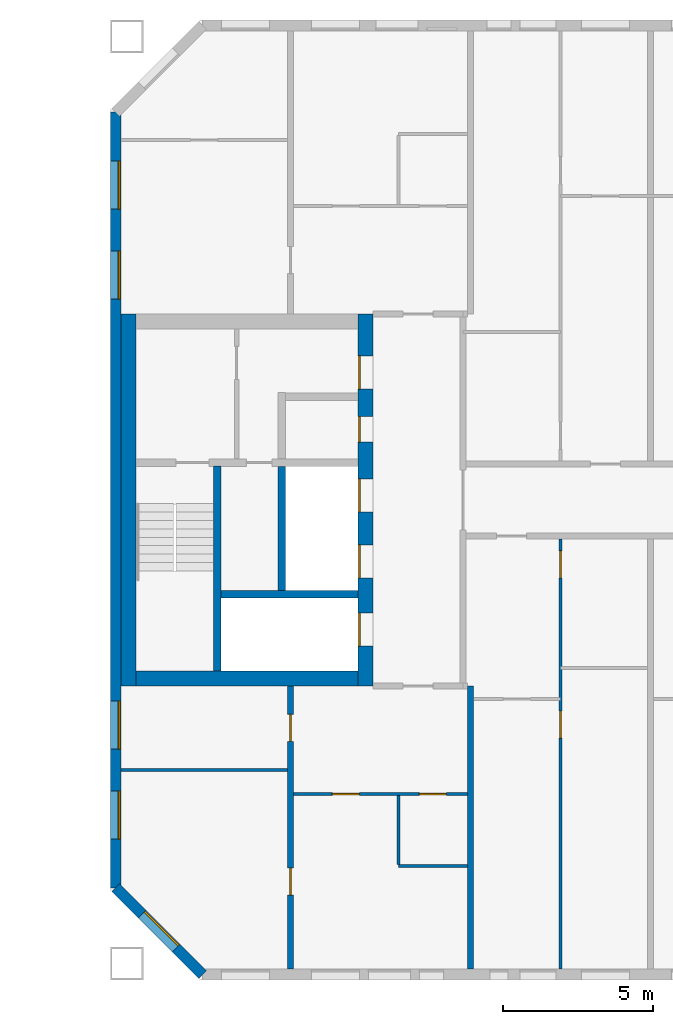
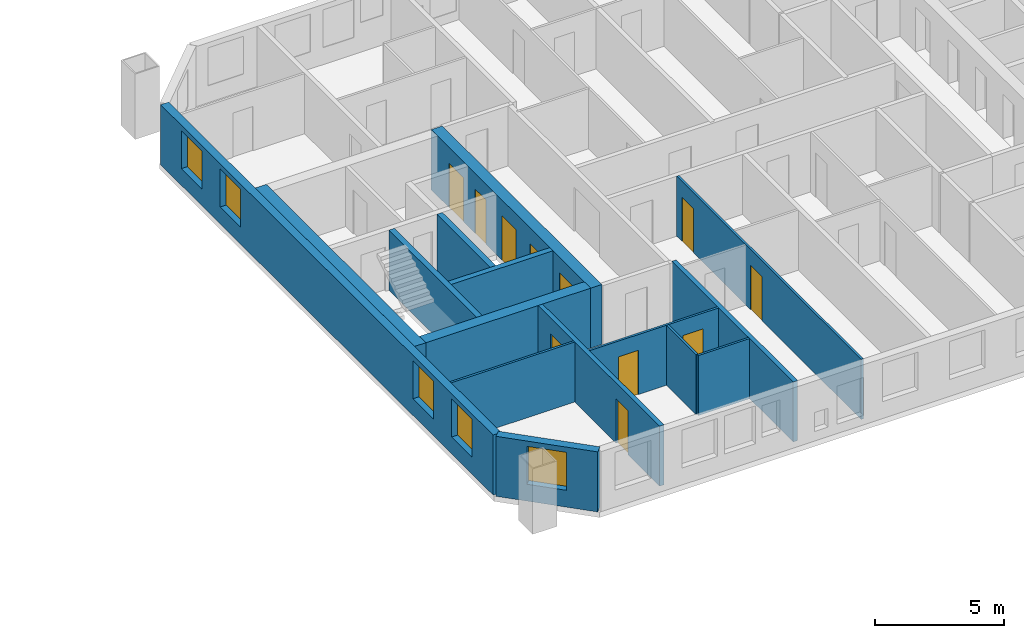
# One storey, part 9 of 16: 15 walls, 11 doors, 5 windows, 16 openings.
"""IFC4 building model written with IfcOpenShell, lengths in metres."""

from ifc_helpers import new_model, si_unit, direction, frame, frame_2d, origin, place, context, subcontext, project, spatial, rectangle, extrude, material, layer, layer_set, type_object, element, fill, save


model = new_model("IFC4")

# Units and contexts
model_context = context("Model", 3, precision=1e-05, world=origin(), true_north=direction((0.0, 1.0)))
body_context = subcontext(model_context, "Body", "Model", "MODEL_VIEW")
ifc_project = project(units=[si_unit("LENGTHUNIT", "METRE"), si_unit("AREAUNIT", "SQUARE_METRE"), si_unit("VOLUMEUNIT", "CUBIC_METRE"), si_unit("PLANEANGLEUNIT", "RADIAN"), si_unit("MASSUNIT", "GRAM", prefix="KILO")], contexts=[model_context])

# Site, building, storey
site_placement = place(None, origin())
site = spatial("IfcSite", under=ifc_project, at=site_placement, CompositionType="ELEMENT")
building_placement = place(site_placement, origin())
building = spatial("IfcBuilding", under=site, at=building_placement, Name="Tuart Gate Housing", CompositionType="ELEMENT")
storey_placement = place(building_placement, frame((0.0, 0.0, 157.800048828125)))
storey = spatial("IfcBuildingStorey", under=building, at=storey_placement, Name="L44", CompositionType="ELEMENT", Elevation=157.800048828125)

# Wall, opening, window
ifc_material_1 = material(Name="Brick", Category="masonry")
ifc_layer_1 = layer(ifc_material_1, 0.360107421875)
ifc_layer_set_1 = layer_set([ifc_layer_1], Name="Brick pier and spandrel wall 360")
wall_type_1 = type_object("IfcWallType", Name="Brick pier and spandrel wall 360", PredefinedType="STANDARD", material=ifc_layer_set_1)
wall_1_placement = place(storey_placement, frame((131.179931640625, 57.07470703125, 0.0), z_axis=(0.0, 0.0, 1.0), x_axis=(0.707106781187, -0.707106781187, 0.0)))
wall_1 = element("IfcWall", 1, at=wall_1_placement, inside=storey, type_object=wall_type_1, Name="External wall B-SW L44", PredefinedType="STANDARD", context=body_context, shape_type="SweptSolid", body=[
    extrude(rectangle(XDim=4.09375, YDim=0.360107421875, at=frame_2d((2.046875, 0.0))), origin(), (0.0, 0.0, 1.0), 2.849853515625),
])
opening_1_placement = place(wall_1_placement, frame((1.2470703125, 0.0, 0.800048828125)))
opening_1 = element("IfcOpeningElement", 2, at=opening_1_placement, cuts=wall_1, Name="Opening W1", PredefinedType="OPENING", context=body_context, shape_type="SweptSolid", body=[
    extrude(rectangle(XDim=1.60009765625, YDim=1.800048828125, at=frame_2d((0.800048828125, 0.89990234375))), frame((0.0, 0.18994140625, 0.0), z_axis=(0.0, -1.0, 0.0), x_axis=(1.0, 0.0, 0.0)), (0.0, 0.0, 1.0), 0.380126953125),
])
ifc_material_2 = material(Name="Aluminium frame with clear glass", Category="aluminium")
window_type = type_object("IfcWindowType", Name="Punched window 1600 x 1800", PartitioningType="SINGLE_PANEL", PredefinedType="WINDOW", material=ifc_material_2)
window_1_placement = place(opening_1_placement, origin())
window_1 = element("IfcWindow", 3, at=window_1_placement, inside=storey, type_object=window_type, Name="Window W1", OverallHeight=1.800048828125, OverallWidth=1.60009765625, PartitioningType="SINGLE_PANEL", PredefinedType="WINDOW", context=body_context, shape_type="SweptSolid", body=[
    extrude(rectangle(XDim=1.60009765625, YDim=1.800048828125, at=frame_2d((0.800048828125, 0.89990234375))), frame((0.0, 0.150146484375, 0.0), z_axis=(0.0, -1.0, 0.0), x_axis=(1.0, 0.0, 0.0)), (0.0, 0.0, 1.0), 0.06005859375),
])
fill(opening_1, window_1)

# Wall, openings, windows
wall_2_placement = place(storey_placement, frame((131.179931640625, 82.92529296875, 0.0), z_axis=(0.0, 0.0, 1.0), x_axis=(0.0, -1.0, 0.0)))
wall_2 = element("IfcWall", 4, at=wall_2_placement, inside=storey, type_object=wall_type_1, Name="External wall B-W L44", PredefinedType="STANDARD", context=body_context, shape_type="SweptSolid", body=[
    extrude(rectangle(XDim=25.850830078125, YDim=0.360107421875, at=frame_2d((12.92529296875, 0.0))), origin(), (0.0, 0.0, 1.0), 2.849853515625),
])
opening_2_placement = place(wall_2_placement, frame((1.62548828125, 0.0, 0.800048828125)))
opening_2 = element("IfcOpeningElement", 5, at=opening_2_placement, cuts=wall_2, Name="Opening W1", PredefinedType="OPENING", context=body_context, shape_type="SweptSolid", body=[
    extrude(rectangle(XDim=1.60009765625, YDim=1.800048828125, at=frame_2d((0.800048828125, 0.89990234375))), frame((0.0, 0.18994140625, 0.0), z_axis=(0.0, -1.0, 0.0), x_axis=(1.0, 0.0, 0.0)), (0.0, 0.0, 1.0), 0.380126953125),
])
opening_3_placement = place(wall_2_placement, frame((4.62548828125, 0.0, 0.800048828125)))
opening_3 = element("IfcOpeningElement", 6, at=opening_3_placement, cuts=wall_2, Name="Opening W1", PredefinedType="OPENING", context=body_context, shape_type="SweptSolid", body=[
    extrude(rectangle(XDim=1.60009765625, YDim=1.800048828125, at=frame_2d((0.800048828125, 0.89990234375))), frame((0.0, 0.18994140625, 0.0), z_axis=(0.0, -1.0, 0.0), x_axis=(1.0, 0.0, 0.0)), (0.0, 0.0, 1.0), 0.380126953125),
])
opening_4_placement = place(wall_2_placement, frame((19.62548828125, 0.0, 0.800048828125)))
opening_4 = element("IfcOpeningElement", 7, at=opening_4_placement, cuts=wall_2, Name="Opening W1", PredefinedType="OPENING", context=body_context, shape_type="SweptSolid", body=[
    extrude(rectangle(XDim=1.60009765625, YDim=1.800048828125, at=frame_2d((0.800048828125, 0.89990234375))), frame((0.0, 0.18994140625, 0.0), z_axis=(0.0, -1.0, 0.0), x_axis=(1.0, 0.0, 0.0)), (0.0, 0.0, 1.0), 0.380126953125),
])
opening_5_placement = place(wall_2_placement, frame((22.62548828125, 0.0, 0.800048828125)))
opening_5 = element("IfcOpeningElement", 8, at=opening_5_placement, cuts=wall_2, Name="Opening W1", PredefinedType="OPENING", context=body_context, shape_type="SweptSolid", body=[
    extrude(rectangle(XDim=1.60009765625, YDim=1.800048828125, at=frame_2d((0.800048828125, 0.89990234375))), frame((0.0, 0.18994140625, 0.0), z_axis=(0.0, -1.0, 0.0), x_axis=(1.0, 0.0, 0.0)), (0.0, 0.0, 1.0), 0.380126953125),
])
window_2_placement = place(opening_2_placement, origin())
window_2 = element("IfcWindow", 9, at=window_2_placement, inside=storey, type_object=window_type, Name="Window W1", OverallHeight=1.800048828125, OverallWidth=1.60009765625, PartitioningType="SINGLE_PANEL", PredefinedType="WINDOW", context=body_context, shape_type="SweptSolid", body=[
    extrude(rectangle(XDim=1.60009765625, YDim=1.800048828125, at=frame_2d((0.800048828125, 0.89990234375))), frame((0.0, 0.150146484375, 0.0), z_axis=(0.0, -1.0, 0.0), x_axis=(1.0, 0.0, 0.0)), (0.0, 0.0, 1.0), 0.06005859375),
])
fill(opening_2, window_2)
window_3_placement = place(opening_3_placement, origin())
window_3 = element("IfcWindow", 10, at=window_3_placement, inside=storey, type_object=window_type, Name="Window W1", OverallHeight=1.800048828125, OverallWidth=1.60009765625, PartitioningType="SINGLE_PANEL", PredefinedType="WINDOW", context=body_context, shape_type="SweptSolid", body=[
    extrude(rectangle(XDim=1.60009765625, YDim=1.800048828125, at=frame_2d((0.800048828125, 0.89990234375))), frame((0.0, 0.150146484375, 0.0), z_axis=(0.0, -1.0, 0.0), x_axis=(1.0, 0.0, 0.0)), (0.0, 0.0, 1.0), 0.06005859375),
])
fill(opening_3, window_3)
window_4_placement = place(opening_4_placement, origin())
window_4 = element("IfcWindow", 11, at=window_4_placement, inside=storey, type_object=window_type, Name="Window W1", OverallHeight=1.800048828125, OverallWidth=1.60009765625, PartitioningType="SINGLE_PANEL", PredefinedType="WINDOW", context=body_context, shape_type="SweptSolid", body=[
    extrude(rectangle(XDim=1.60009765625, YDim=1.800048828125, at=frame_2d((0.800048828125, 0.89990234375))), frame((0.0, 0.150146484375, 0.0), z_axis=(0.0, -1.0, 0.0), x_axis=(1.0, 0.0, 0.0)), (0.0, 0.0, 1.0), 0.06005859375),
])
fill(opening_4, window_4)
window_5_placement = place(opening_5_placement, origin())
window_5 = element("IfcWindow", 12, at=window_5_placement, inside=storey, type_object=window_type, Name="Window W1", OverallHeight=1.800048828125, OverallWidth=1.60009765625, PartitioningType="SINGLE_PANEL", PredefinedType="WINDOW", context=body_context, shape_type="SweptSolid", body=[
    extrude(rectangle(XDim=1.60009765625, YDim=1.800048828125, at=frame_2d((0.800048828125, 0.89990234375))), frame((0.0, 0.150146484375, 0.0), z_axis=(0.0, -1.0, 0.0), x_axis=(1.0, 0.0, 0.0)), (0.0, 0.0, 1.0), 0.06005859375),
])
fill(opening_5, window_5)

# Walls
ifc_material_3 = material(Name="Concrete C40", Category="concrete")
ifc_layer_2 = layer(ifc_material_3, 0.25)
ifc_layer_set_2 = layer_set([ifc_layer_2], Name="Core wall 250 C40")
wall_type_2 = type_object("IfcWallType", Name="Core wall 250 C40", PredefinedType="SHEAR", material=ifc_layer_set_2)
wall_3_placement = place(storey_placement, frame((139.260009765625, 66.85009765625, 0.0), z_axis=(0.0, 0.0, 1.0), x_axis=(-1.0, 0.0, 0.0)))
element("IfcWall", 13, at=wall_3_placement, inside=storey, type_object=wall_type_2, Name="Core wall BG.1", PredefinedType="SHEAR", context=body_context, shape_type="SweptSolid", body=[
    extrude(rectangle(XDim=4.574951171875, YDim=0.25, at=frame_2d((2.28759765625, 0.0))), origin(), (0.0, 0.0, 1.0), 2.849853515625),
])
wall_4_placement = place(storey_placement, frame((136.7099609375, 66.97509765625, 0.0), z_axis=(0.0, 0.0, 1.0), x_axis=(0.0, 1.0, 0.0)))
element("IfcWall", 14, at=wall_4_placement, inside=storey, type_object=wall_type_2, Name="Core wall BG.4", PredefinedType="SHEAR", context=body_context, shape_type="SweptSolid", body=[
    extrude(rectangle(XDim=4.14990234375, YDim=0.25, at=frame_2d((2.074951171875, 0.0))), origin(), (0.0, 0.0, 1.0), 2.849853515625),
])
wall_5_placement = place(storey_placement, frame((134.56005859375, 64.300048828125, 0.0), z_axis=(0.0, 0.0, 1.0), x_axis=(0.0, 1.0, 0.0)))
element("IfcWall", 15, at=wall_5_placement, inside=storey, type_object=wall_type_2, Name="Core wall BG.7", PredefinedType="SHEAR", context=body_context, shape_type="SweptSolid", body=[
    extrude(rectangle(XDim=6.824951171875, YDim=0.25, at=frame_2d((3.41259765625, 0.0))), origin(), (0.0, 0.0, 1.0), 2.849853515625),
])

# Wall, openings, doors
ifc_material_4 = material(Name="Concrete C40", Category="concrete")
ifc_layer_3 = layer(ifc_material_4, 0.5)
ifc_layer_set_3 = layer_set([ifc_layer_3], Name="Core wall 500 C40")
wall_type_3 = type_object("IfcWallType", Name="Core wall 500 C40", PredefinedType="SHEAR", material=ifc_layer_set_3)
wall_6_placement = place(storey_placement, frame((139.510009765625, 63.800048828125, 0.0), z_axis=(0.0, 0.0, 1.0), x_axis=(0.0, 1.0, 0.0)))
wall_6 = element("IfcWall", 16, at=wall_6_placement, inside=storey, type_object=wall_type_3, Name="Core wall BG front", PredefinedType="SHEAR", context=body_context, shape_type="SweptSolid", body=[
    extrude(rectangle(XDim=12.39990234375, YDim=0.5, at=frame_2d((6.199951171875, 0.0))), origin(), (0.0, 0.0, 1.0), 2.849853515625),
])
opening_6_placement = place(wall_6_placement, frame((1.324951171875, 0.0, 0.0)))
opening_6 = element("IfcOpeningElement", 17, at=opening_6_placement, cuts=wall_6, Name="Opening LD-FB1", PredefinedType="OPENING", context=body_context, shape_type="SweptSolid", body=[
    extrude(rectangle(XDim=1.10009765625, YDim=2.10009765625, at=frame_2d((0.550048828125, 1.050048828125))), frame((0.0, 0.260009765625, 0.0), z_axis=(0.0, -1.0, 0.0), x_axis=(1.0, 0.0, 0.0)), (0.0, 0.0, 1.0), 0.52001953125),
])
opening_7_placement = place(wall_6_placement, frame((3.60009765625, 0.0, 0.0)))
opening_7 = element("IfcOpeningElement", 18, at=opening_7_placement, cuts=wall_6, Name="Opening LD-LB1", PredefinedType="OPENING", context=body_context, shape_type="SweptSolid", body=[
    extrude(rectangle(XDim=1.10009765625, YDim=2.10009765625, at=frame_2d((0.550048828125, 1.050048828125))), frame((0.0, 0.260009765625, 0.0), z_axis=(0.0, -1.0, 0.0), x_axis=(1.0, 0.0, 0.0)), (0.0, 0.0, 1.0), 0.52001953125),
])
opening_8_placement = place(wall_6_placement, frame((5.800048828125, 0.0, 0.0)))
opening_8 = element("IfcOpeningElement", 19, at=opening_8_placement, cuts=wall_6, Name="Opening LD-LB2", PredefinedType="OPENING", context=body_context, shape_type="SweptSolid", body=[
    extrude(rectangle(XDim=1.10009765625, YDim=2.10009765625, at=frame_2d((0.550048828125, 1.050048828125))), frame((0.0, 0.260009765625, 0.0), z_axis=(0.0, -1.0, 0.0), x_axis=(1.0, 0.0, 0.0)), (0.0, 0.0, 1.0), 0.52001953125),
])
opening_9_placement = place(wall_6_placement, frame((9.89990234375, 0.0, 0.0)))
opening_9 = element("IfcOpeningElement", 20, at=opening_9_placement, cuts=wall_6, Name="Opening D1704", PredefinedType="OPENING", context=body_context, shape_type="SweptSolid", body=[
    extrude(rectangle(XDim=1.10009765625, YDim=2.10009765625, at=frame_2d((0.550048828125, 1.050048828125))), frame((0.0, 0.260009765625, 0.0), z_axis=(0.0, -1.0, 0.0), x_axis=(1.0, 0.0, 0.0)), (0.0, 0.0, 1.0), 0.52001953125),
])
opening_10_placement = place(wall_6_placement, frame((8.125, 0.0, 0.0)))
opening_10 = element("IfcOpeningElement", 21, at=opening_10_placement, cuts=wall_6, Name="Opening D1705", PredefinedType="OPENING", context=body_context, shape_type="SweptSolid", body=[
    extrude(rectangle(XDim=0.85009765625, YDim=2.10009765625, at=frame_2d((0.425048828125, 1.050048828125))), frame((0.0, 0.260009765625, 0.0), z_axis=(0.0, -1.0, 0.0), x_axis=(1.0, 0.0, 0.0)), (0.0, 0.0, 1.0), 0.52001953125),
])
ifc_material_5 = material(Name="Stainless steel", Category="steel")
door_type_1 = type_object("IfcDoorType", Name="Landing door 1100 x 2100", OperationType="DOUBLE_DOOR_SLIDING", PredefinedType="DOOR", material=ifc_material_5)
door_1_placement = place(opening_6_placement, origin())
door_1 = element("IfcDoor", 22, at=door_1_placement, inside=storey, type_object=door_type_1, Name="Lift landing door FB1", OperationType="DOUBLE_DOOR_SLIDING", OverallHeight=2.10009765625, OverallWidth=1.10009765625, PredefinedType="DOOR", context=body_context, shape_type="SweptSolid", body=[
    extrude(rectangle(XDim=1.10009765625, YDim=2.10009765625, at=frame_2d((0.550048828125, 1.050048828125))), frame((0.0, 0.23486328125, 0.0), z_axis=(0.0, -1.0, 0.0), x_axis=(1.0, 0.0, 0.0)), (0.0, 0.0, 1.0), 0.050048828125),
])
fill(opening_6, door_1)
door_2_placement = place(opening_7_placement, origin())
door_2 = element("IfcDoor", 23, at=door_2_placement, inside=storey, type_object=door_type_1, Name="Lift landing door LB1", OperationType="DOUBLE_DOOR_SLIDING", OverallHeight=2.10009765625, OverallWidth=1.10009765625, PredefinedType="DOOR", context=body_context, shape_type="SweptSolid", body=[
    extrude(rectangle(XDim=1.10009765625, YDim=2.10009765625, at=frame_2d((0.550048828125, 1.050048828125))), frame((0.0, 0.23486328125, 0.0), z_axis=(0.0, -1.0, 0.0), x_axis=(1.0, 0.0, 0.0)), (0.0, 0.0, 1.0), 0.050048828125),
])
fill(opening_7, door_2)
door_3_placement = place(opening_8_placement, origin())
door_3 = element("IfcDoor", 24, at=door_3_placement, inside=storey, type_object=door_type_1, Name="Lift landing door LB2", OperationType="DOUBLE_DOOR_SLIDING", OverallHeight=2.10009765625, OverallWidth=1.10009765625, PredefinedType="DOOR", context=body_context, shape_type="SweptSolid", body=[
    extrude(rectangle(XDim=1.10009765625, YDim=2.10009765625, at=frame_2d((0.550048828125, 1.050048828125))), frame((0.0, 0.23486328125, 0.0), z_axis=(0.0, -1.0, 0.0), x_axis=(1.0, 0.0, 0.0)), (0.0, 0.0, 1.0), 0.050048828125),
])
fill(opening_8, door_3)
ifc_material_6 = material(Name="Steel fire door", Category="steel")
door_type_2 = type_object("IfcDoorType", Name="Lobby door 1100 x 2100", OperationType="SINGLE_SWING_LEFT", PredefinedType="DOOR", material=ifc_material_6)
door_4_placement = place(opening_9_placement, origin())
door_4 = element("IfcDoor", 25, at=door_4_placement, inside=storey, type_object=door_type_2, Name="Lobby entry door BG.EN", OperationType="SINGLE_SWING_LEFT", OverallHeight=2.10009765625, OverallWidth=1.10009765625, PredefinedType="DOOR", context=body_context, shape_type="SweptSolid", body=[
    extrude(rectangle(XDim=1.10009765625, YDim=2.10009765625, at=frame_2d((0.550048828125, 1.050048828125))), frame((0.0, 0.23486328125, 0.0), z_axis=(0.0, -1.0, 0.0), x_axis=(1.0, 0.0, 0.0)), (0.0, 0.0, 1.0), 0.050048828125),
])
fill(opening_9, door_4)
ifc_material_7 = material(Name="Steel fire door", Category="steel")
door_type_3 = type_object("IfcDoorType", Name="Service door 850 x 2100", OperationType="SINGLE_SWING_LEFT", PredefinedType="DOOR", material=ifc_material_7)
door_5_placement = place(opening_10_placement, origin())
door_5 = element("IfcDoor", 26, at=door_5_placement, inside=storey, type_object=door_type_3, Name="Service room door BG.T1", OperationType="SINGLE_SWING_LEFT", OverallHeight=2.10009765625, OverallWidth=0.85009765625, PredefinedType="DOOR", context=body_context, shape_type="SweptSolid", body=[
    extrude(rectangle(XDim=0.85009765625, YDim=2.10009765625, at=frame_2d((0.425048828125, 1.050048828125))), frame((0.0, 0.23486328125, 0.0), z_axis=(0.0, -1.0, 0.0), x_axis=(1.0, 0.0, 0.0)), (0.0, 0.0, 1.0), 0.050048828125),
])
fill(opening_10, door_5)

# Walls
wall_7_placement = place(storey_placement, frame((131.610107421875, 63.800048828125, 0.0), z_axis=(0.0, 0.0, 1.0), x_axis=(0.0, 1.0, 0.0)))
element("IfcWall", 27, at=wall_7_placement, inside=storey, type_object=wall_type_3, Name="Core wall BG back", PredefinedType="SHEAR", context=body_context, shape_type="SweptSolid", body=[
    extrude(rectangle(XDim=12.39990234375, YDim=0.5, at=frame_2d((6.199951171875, 0.0))), origin(), (0.0, 0.0, 1.0), 2.849853515625),
])
wall_8_placement = place(storey_placement, frame((139.260009765625, 64.050048828125, 0.0), z_axis=(0.0, 0.0, 1.0), x_axis=(-1.0, 0.0, 0.0)))
element("IfcWall", 28, at=wall_8_placement, inside=storey, type_object=wall_type_3, Name="Core wall BG south", PredefinedType="SHEAR", context=body_context, shape_type="SweptSolid", body=[
    extrude(rectangle(XDim=7.39990234375, YDim=0.5, at=frame_2d((3.699951171875, 0.0))), origin(), (0.0, 0.0, 1.0), 2.849853515625),
])
ifc_material_8 = material(Name="Gypsum board on steel studs", Category="steel")
ifc_layer_4 = layer(ifc_material_8, 0.10009765625)
ifc_layer_set_4 = layer_set([ifc_layer_4], Name="Partition 100")
wall_type_4 = type_object("IfcWallType", Name="Partition 100", PredefinedType="PARTITIONING", material=ifc_layer_set_4)
wall_9_placement = place(storey_placement, frame((140.60009765625, 57.800048828125, 0.0), z_axis=(0.0, 0.0, 1.0), x_axis=(1.0, 0.0, 0.0)))
element("IfcWall", 29, at=wall_9_placement, inside=storey, type_object=wall_type_4, Name="Partition 100", PredefinedType="PARTITIONING", context=body_context, shape_type="SweptSolid", body=[
    extrude(rectangle(XDim=2.2998046875, YDim=0.10009765625, at=frame_2d((1.14990234375, 0.0))), origin(), (0.0, 0.0, 1.0), 2.849853515625),
])

# Wall, openings, doors
wall_10_placement = place(storey_placement, frame((137.10009765625, 60.199951171875, 0.0), z_axis=(0.0, 0.0, 1.0), x_axis=(1.0, 0.0, 0.0)))
wall_10 = element("IfcWall", 30, at=wall_10_placement, inside=storey, type_object=wall_type_4, Name="Partition 100", PredefinedType="PARTITIONING", context=body_context, shape_type="SweptSolid", body=[
    extrude(rectangle(XDim=5.7998046875, YDim=0.10009765625, at=frame_2d((2.89990234375, 0.0))), origin(), (0.0, 0.0, 1.0), 2.849853515625),
])
opening_11_placement = place(wall_10_placement, frame((1.300048828125, 0.0, 0.0)))
opening_11 = element("IfcOpeningElement", 31, at=opening_11_placement, cuts=wall_10, Name="Opening D1727", PredefinedType="OPENING", context=body_context, shape_type="SweptSolid", body=[
    extrude(rectangle(XDim=0.89990234375, YDim=2.10009765625, at=frame_2d((0.449951171875, 1.050048828125))), frame((0.0, 0.06005859375, 0.0), z_axis=(0.0, -1.0, 0.0), x_axis=(1.0, 0.0, 0.0)), (0.0, 0.0, 1.0), 0.1201171875),
])
opening_12_placement = place(wall_10_placement, frame((4.199951171875, 0.0, 0.0)))
opening_12 = element("IfcOpeningElement", 32, at=opening_12_placement, cuts=wall_10, Name="Opening D1726", PredefinedType="OPENING", context=body_context, shape_type="SweptSolid", body=[
    extrude(rectangle(XDim=0.89990234375, YDim=2.10009765625, at=frame_2d((0.449951171875, 1.050048828125))), frame((0.0, 0.06005859375, 0.0), z_axis=(0.0, -1.0, 0.0), x_axis=(1.0, 0.0, 0.0)), (0.0, 0.0, 1.0), 0.1201171875),
])
ifc_material_9 = material(Name="Timber door leaf in steel frame", Category="steel")
door_type_4 = type_object("IfcDoorType", Name="Bathroom door 900 RH", OperationType="SINGLE_SWING_RIGHT", PredefinedType="DOOR", material=ifc_material_9)
door_6_placement = place(opening_12_placement, frame((0.89990234375, 0.0, 0.0), z_axis=(0.0, 0.0, 1.0), x_axis=(-1.0, 0.0, 0.0)))
door_6 = element("IfcDoor", 33, at=door_6_placement, inside=storey, type_object=door_type_4, Name="Bathroom door", OperationType="SINGLE_SWING_RIGHT", OverallHeight=2.10009765625, OverallWidth=0.89990234375, PredefinedType="DOOR", context=body_context, shape_type="SweptSolid", body=[
    extrude(rectangle(XDim=0.89990234375, YDim=2.10009765625, at=frame_2d((0.449951171875, 1.050048828125))), frame((0.0, 0.025146484375, 0.0), z_axis=(0.0, -1.0, 0.0), x_axis=(1.0, 0.0, 0.0)), (0.0, 0.0, 1.0), 0.050048828125),
])
fill(opening_12, door_6)
ifc_material_10 = material(Name="Timber door leaf in steel frame", Category="steel")
door_type_5 = type_object("IfcDoorType", Name="Internal door 900", OperationType="SINGLE_SWING_LEFT", PredefinedType="DOOR", material=ifc_material_10)
door_7_placement = place(opening_11_placement, origin())
door_7 = element("IfcDoor", 34, at=door_7_placement, inside=storey, type_object=door_type_5, Name="Internal door", OperationType="SINGLE_SWING_LEFT", OverallHeight=2.10009765625, OverallWidth=0.89990234375, PredefinedType="DOOR", context=body_context, shape_type="SweptSolid", body=[
    extrude(rectangle(XDim=0.89990234375, YDim=2.10009765625, at=frame_2d((0.449951171875, 1.050048828125))), frame((0.0, 0.02490234375, 0.0), z_axis=(0.0, -1.0, 0.0), x_axis=(1.0, 0.0, 0.0)), (0.0, 0.0, 1.0), 0.050048828125),
])
fill(opening_11, door_7)

# Walls
wall_11_placement = place(storey_placement, frame((131.360107421875, 61.0, 0.0), z_axis=(0.0, 0.0, 1.0), x_axis=(1.0, 0.0, 0.0)))
element("IfcWall", 35, at=wall_11_placement, inside=storey, type_object=wall_type_4, Name="Partition 100", PredefinedType="PARTITIONING", context=body_context, shape_type="SweptSolid", body=[
    extrude(rectangle(XDim=5.539794921875, YDim=0.10009765625, at=frame_2d((2.77001953125, 0.0))), origin(), (0.0, 0.0, 1.0), 2.849853515625),
])
wall_12_placement = place(storey_placement, frame((140.60009765625, 57.85009765625, 0.0), z_axis=(0.0, 0.0, 1.0), x_axis=(0.0, 1.0, 0.0)))
element("IfcWall", 36, at=wall_12_placement, inside=storey, type_object=wall_type_4, Name="Partition 100", PredefinedType="PARTITIONING", context=body_context, shape_type="SweptSolid", body=[
    extrude(rectangle(XDim=2.2998046875, YDim=0.10009765625, at=frame_2d((1.14990234375, 0.0))), origin(), (0.0, 0.0, 1.0), 2.849853515625),
])

# Wall, openings, doors
wall_13_placement = place(storey_placement, frame((146.0, 54.360107421875, 0.0), z_axis=(0.0, 0.0, 1.0), x_axis=(0.0, 1.0, 0.0)))
wall_13 = element("IfcWall", 37, at=wall_13_placement, inside=storey, type_object=wall_type_4, Name="Partition 100", PredefinedType="PARTITIONING", context=body_context, shape_type="SweptSolid", body=[
    extrude(rectangle(XDim=14.33984375, YDim=0.10009765625, at=frame_2d((7.169921875, 0.0))), origin(), (0.0, 0.0, 1.0), 2.849853515625),
])
opening_13_placement = place(wall_13_placement, frame((7.699951171875, 0.0, 0.0)))
opening_13 = element("IfcOpeningElement", 38, at=opening_13_placement, cuts=wall_13, Name="Opening D1721", PredefinedType="OPENING", context=body_context, shape_type="SweptSolid", body=[
    extrude(rectangle(XDim=0.89990234375, YDim=2.10009765625, at=frame_2d((0.449951171875, 1.050048828125))), frame((0.0, 0.06005859375, 0.0), z_axis=(0.0, -1.0, 0.0), x_axis=(1.0, 0.0, 0.0)), (0.0, 0.0, 1.0), 0.1201171875),
])
opening_14_placement = place(wall_13_placement, frame((13.0400390625, 0.0, 0.0)))
opening_14 = element("IfcOpeningElement", 39, at=opening_14_placement, cuts=wall_13, Name="Opening D1720", PredefinedType="OPENING", context=body_context, shape_type="SweptSolid", body=[
    extrude(rectangle(XDim=0.89990234375, YDim=2.10009765625, at=frame_2d((0.449951171875, 1.050048828125))), frame((0.0, 0.06005859375, 0.0), z_axis=(0.0, -1.0, 0.0), x_axis=(1.0, 0.0, 0.0)), (0.0, 0.0, 1.0), 0.1201171875),
])
ifc_material_11 = material(Name="Timber door leaf in steel frame", Category="steel")
door_type_6 = type_object("IfcDoorType", Name="Bathroom door 900", OperationType="SINGLE_SWING_LEFT", PredefinedType="DOOR", material=ifc_material_11)
door_8_placement = place(opening_14_placement, frame((0.89990234375, 0.0, 0.0), z_axis=(0.0, 0.0, 1.0), x_axis=(-1.0, 0.0, 0.0)))
door_8 = element("IfcDoor", 40, at=door_8_placement, inside=storey, type_object=door_type_6, Name="Bathroom door", OperationType="SINGLE_SWING_LEFT", OverallHeight=2.10009765625, OverallWidth=0.89990234375, PredefinedType="DOOR", context=body_context, shape_type="SweptSolid", body=[
    extrude(rectangle(XDim=0.89990234375, YDim=2.10009765625, at=frame_2d((0.449951171875, 1.050048828125))), frame((0.0, 0.025146484375, 0.0), z_axis=(0.0, -1.0, 0.0), x_axis=(1.0, 0.0, 0.0)), (0.0, 0.0, 1.0), 0.050048828125),
])
fill(opening_14, door_8)
door_9_placement = place(opening_13_placement, frame((0.89990234375, 0.0, 0.0), z_axis=(0.0, 0.0, 1.0), x_axis=(-1.0, 0.0, 0.0)))
door_9 = element("IfcDoor", 41, at=door_9_placement, inside=storey, type_object=door_type_5, Name="Internal door", OperationType="SINGLE_SWING_LEFT", OverallHeight=2.10009765625, OverallWidth=0.89990234375, PredefinedType="DOOR", context=body_context, shape_type="SweptSolid", body=[
    extrude(rectangle(XDim=0.89990234375, YDim=2.10009765625, at=frame_2d((0.449951171875, 1.050048828125))), frame((0.0, 0.025146484375, 0.0), z_axis=(0.0, -1.0, 0.0), x_axis=(1.0, 0.0, 0.0)), (0.0, 0.0, 1.0), 0.050048828125),
])
fill(opening_13, door_9)

ifc_material_12 = material(Name="Concrete C40", Category="concrete")
ifc_layer_5 = layer(ifc_material_12, 0.199951171875)
ifc_layer_set_5 = layer_set([ifc_layer_5], Name="Party wall concrete C40 200")
wall_type_5 = type_object("IfcWallType", Name="Party wall concrete C40 200", PredefinedType="SOLIDWALL", material=ifc_layer_set_5)
wall_14_placement = place(storey_placement, frame((137.0, 54.360107421875, 0.0), z_axis=(0.0, 0.0, 1.0), x_axis=(0.0, 1.0, 0.0)))
wall_14 = element("IfcWall", 42, at=wall_14_placement, inside=storey, type_object=wall_type_5, Name="Party wall concrete C40 200", PredefinedType="SOLIDWALL", context=body_context, shape_type="SweptSolid", body=[
    extrude(rectangle(XDim=9.43994140625, YDim=0.199951171875, at=frame_2d((4.719970703125, 0.0))), origin(), (0.0, 0.0, 1.0), 2.849853515625),
])
opening_15_placement = place(wall_14_placement, frame((2.469970703125, 0.0, 0.0)))
opening_15 = element("IfcOpeningElement", 43, at=opening_15_placement, cuts=wall_14, Name="Opening D1729", PredefinedType="OPENING", context=body_context, shape_type="SweptSolid", body=[
    extrude(rectangle(XDim=0.89990234375, YDim=2.10009765625, at=frame_2d((0.449951171875, 1.050048828125))), frame((0.0, 0.10986328125, 0.0), z_axis=(0.0, -1.0, 0.0), x_axis=(1.0, 0.0, 0.0)), (0.0, 0.0, 1.0), 0.219970703125),
])
opening_16_placement = place(wall_14_placement, frame((7.590087890625, 0.0, 0.0)))
opening_16 = element("IfcOpeningElement", 44, at=opening_16_placement, cuts=wall_14, Name="Opening D1730", PredefinedType="OPENING", context=body_context, shape_type="SweptSolid", body=[
    extrude(rectangle(XDim=0.89990234375, YDim=2.10009765625, at=frame_2d((0.449951171875, 1.050048828125))), frame((0.0, 0.10986328125, 0.0), z_axis=(0.0, -1.0, 0.0), x_axis=(1.0, 0.0, 0.0)), (0.0, 0.0, 1.0), 0.219970703125),
])
door_10_placement = place(opening_15_placement, origin())
door_10 = element("IfcDoor", 45, at=door_10_placement, inside=storey, type_object=door_type_5, Name="Internal door", OperationType="SINGLE_SWING_LEFT", OverallHeight=2.10009765625, OverallWidth=0.89990234375, PredefinedType="DOOR", context=body_context, shape_type="SweptSolid", body=[
    extrude(rectangle(XDim=0.89990234375, YDim=2.10009765625, at=frame_2d((0.449951171875, 1.050048828125))), frame((0.0, 0.02490234375, 0.0), z_axis=(0.0, -1.0, 0.0), x_axis=(1.0, 0.0, 0.0)), (0.0, 0.0, 1.0), 0.050048828125),
])
fill(opening_15, door_10)
door_11_placement = place(opening_16_placement, origin())
door_11 = element("IfcDoor", 46, at=door_11_placement, inside=storey, type_object=door_type_5, Name="Internal door", OperationType="SINGLE_SWING_LEFT", OverallHeight=2.10009765625, OverallWidth=0.89990234375, PredefinedType="DOOR", context=body_context, shape_type="SweptSolid", body=[
    extrude(rectangle(XDim=0.89990234375, YDim=2.10009765625, at=frame_2d((0.449951171875, 1.050048828125))), frame((0.0, 0.02490234375, 0.0), z_axis=(0.0, -1.0, 0.0), x_axis=(1.0, 0.0, 0.0)), (0.0, 0.0, 1.0), 0.050048828125),
])
fill(opening_16, door_11)

# Wall
wall_15_placement = place(storey_placement, frame((143.0, 54.360107421875, 0.0), z_axis=(0.0, 0.0, 1.0), x_axis=(0.0, 1.0, 0.0)))
element("IfcWall", 47, at=wall_15_placement, inside=storey, type_object=wall_type_5, Name="Party wall concrete C40 200", PredefinedType="SOLIDWALL", context=body_context, shape_type="SweptSolid", body=[
    extrude(rectangle(XDim=9.43994140625, YDim=0.199951171875, at=frame_2d((4.719970703125, 0.0))), origin(), (0.0, 0.0, 1.0), 2.849853515625),
])

save(model, "model.ifc")
